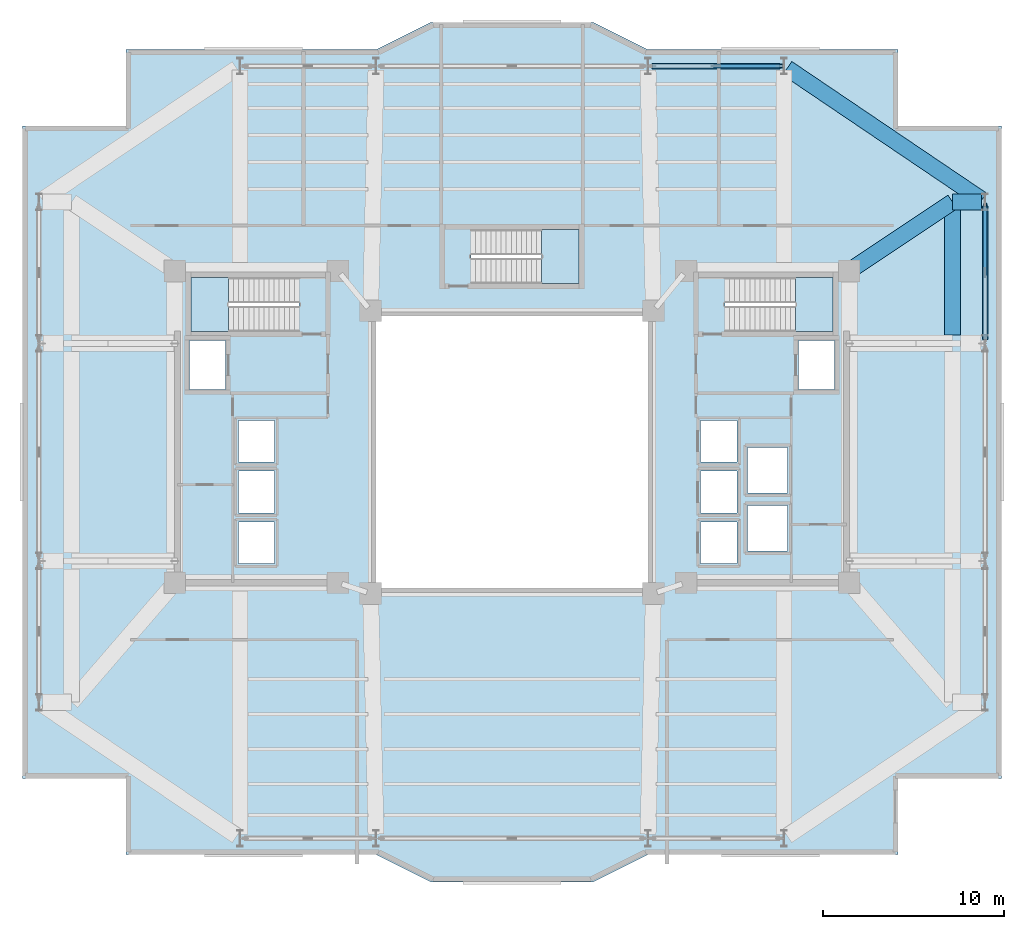
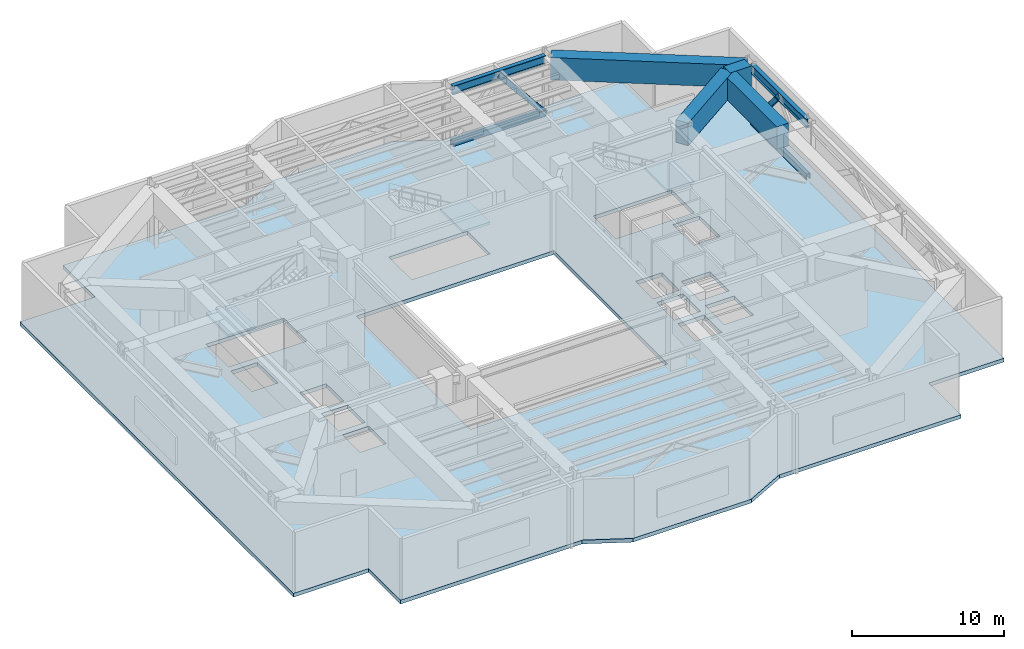
# One storey, part 3 of 13: 6 beams, 4 members, 4 slabs, 3 elements without a shape of their own.
"""IFC4 building model written with IfcOpenShell, lengths in metres."""

from ifc_helpers import new_model, si_unit, direction, frame, origin, origin_2d, place, context, subcontext, project, spatial, polyline, rectangle, hollow_rectangle, i_section, outline, extrude, material, layer, layer_set, material_profile, profile_set, type_object, element, aggregate, save


model = new_model("IFC4")

# Units and contexts
model_context = context("Model", 3, precision=1e-05, world=origin(), true_north=direction((0.0, 1.0)))
body_context = subcontext(model_context, "Body", "Model", "MODEL_VIEW")
ifc_project = project(units=[si_unit("LENGTHUNIT", "METRE"), si_unit("AREAUNIT", "SQUARE_METRE"), si_unit("VOLUMEUNIT", "CUBIC_METRE"), si_unit("PLANEANGLEUNIT", "RADIAN"), si_unit("MASSUNIT", "GRAM", prefix="KILO")], contexts=[model_context])

# Site, building, storey
site_placement = place(None, origin())
site = spatial("IfcSite", under=ifc_project, at=site_placement, CompositionType="ELEMENT")
building_placement = place(site_placement, origin())
building = spatial("IfcBuilding", under=site, at=building_placement, Name="Tarnavaz Court Tower", CompositionType="ELEMENT")
storey_placement = place(building_placement, frame((0.0, 0.0, 127.5)))
storey = spatial("IfcBuildingStorey", under=building, at=storey_placement, Name="L34", CompositionType="ELEMENT", Elevation=127.5)

# Beams
ifc_material_1 = material(Name="Steel S460", Category="steel")
ifc_material_profile_1 = material_profile(ifc_material_1, i_section(OverallWidth=0.303955078125, OverallDepth=0.716064453125, WebThickness=0.02099609375, FlangeThickness=0.0400390625, FilletRadius=0.027099609375, at=origin_2d()), Name="HEM 700")
ifc_profile_set_1 = profile_set([ifc_material_profile_1], Name="Steel S460")
beam_type_1 = type_object("IfcBeamType", Name="BM-BT-HEM700", PredefinedType="USERDEFINED", material=ifc_profile_set_1)
beam_1_placement = place(storey_placement, frame((7.719970703125, 21.300048828125, 4.491943359375), z_axis=(1.0, 0.0, 0.0), x_axis=(0.0, 1.0, 0.0)))
element("IfcBeam", 1, at=beam_1_placement, inside=storey, type_object=beam_type_1, Name="L34 Beam PR-PN-3-PN-4", ObjectType="GIRDER", PredefinedType="USERDEFINED", context=body_context, shape_type="SweptSolid", body=[
    extrude(i_section(OverallWidth=0.303955078125, OverallDepth=0.716064453125, WebThickness=0.02099609375, FlangeThickness=0.0400390625, FilletRadius=0.027099609375, at=origin_2d()), origin(), (0.0, 0.0, 1.0), 7.06005859375),
])
beam_2_placement = place(storey_placement, frame((26.10009765625, 6.219970703125, 4.491943359375), z_axis=(0.0, 1.0, 0.0), x_axis=(-1.0, 0.0, 0.0)))
element("IfcBeam", 2, at=beam_2_placement, inside=storey, type_object=beam_type_1, Name="L34 Beam PR-PE-3-PE-4", ObjectType="GIRDER", PredefinedType="USERDEFINED", context=body_context, shape_type="SweptSolid", body=[
    extrude(i_section(OverallWidth=0.303955078125, OverallDepth=0.716064453125, WebThickness=0.02099609375, FlangeThickness=0.0400390625, FilletRadius=0.027099609375, at=origin_2d()), origin(), (0.0, 0.0, 1.0), 7.360107421875),
])
ifc_material_2 = material(Name="Concrete C50/60", Category="concrete")
ifc_material_profile_2 = material_profile(ifc_material_2, rectangle(XDim=0.89990234375, YDim=1.800048828125, at=origin_2d()), Name="RC 900X1800")
ifc_profile_set_2 = profile_set([ifc_material_profile_2], Name="Concrete C50/60")
beam_type_2 = type_object("IfcBeamType", Name="BM-TG1800", PredefinedType="USERDEFINED", material=ifc_profile_set_2)
beam_3_placement = place(storey_placement, frame((15.182373046875, 21.1767578125, 3.949951171875), z_axis=(0.828587314918, -0.559859858854, 0.0), x_axis=(0.559859858854, 0.828587314918, 0.0)))
element("IfcBeam", 3, at=beam_3_placement, inside=storey, type_object=beam_type_2, Name="L34 Beam PR-PN-4-PE-4", ObjectType="GIRDER", PredefinedType="USERDEFINED", context=body_context, shape_type="SweptSolid", body=[
    extrude(rectangle(XDim=0.89990234375, YDim=1.800048828125, at=origin_2d()), origin(), (0.0, 0.0, 1.0), 12.956298828125),
])
beam_4_placement = place(storey_placement, frame((18.766357421875, 10.11083984375, 3.949951171875), z_axis=(0.832044646767, 0.554708667488, 0.0), x_axis=(-0.554708667488, 0.832044646767, 0.0)))
element("IfcBeam", 4, at=beam_4_placement, inside=storey, type_object=beam_type_2, Name="L34 Beam TG-SET-EN", ObjectType="GIRDER", PredefinedType="USERDEFINED", context=body_context, shape_type="SweptSolid", body=[
    extrude(rectangle(XDim=0.89990234375, YDim=1.800048828125, at=origin_2d()), origin(), (0.0, 0.0, 1.0), 6.650634765625),
])
beam_5_placement = place(storey_placement, frame((24.300048828125, 13.800048828125, 3.949951171875), z_axis=(1.0, 0.0, 0.0), x_axis=(0.0, 1.0, 0.0)))
element("IfcBeam", 5, at=beam_5_placement, inside=storey, type_object=beam_type_2, Name="L34 Beam TG-OUT-EN", ObjectType="GIRDER", PredefinedType="USERDEFINED", context=body_context, shape_type="SweptSolid", body=[
    extrude(rectangle(XDim=0.89990234375, YDim=1.800048828125, at=origin_2d()), origin(), (0.0, 0.0, 1.0), 1.599853515625),
])
beam_6_placement = place(storey_placement, frame((24.300048828125, 6.449951171875, 3.949951171875), z_axis=(0.0, 1.0, 0.0), x_axis=(-1.0, 0.0, 0.0)))
element("IfcBeam", 6, at=beam_6_placement, inside=storey, type_object=beam_type_2, Name="L34 Beam TG-TIE-E3", ObjectType="GIRDER", PredefinedType="USERDEFINED", context=body_context, shape_type="SweptSolid", body=[
    extrude(rectangle(XDim=0.89990234375, YDim=1.800048828125, at=origin_2d()), origin(), (0.0, 0.0, 1.0), 7.330078125),
])

# Members
ifc_material_profile_3 = material_profile(ifc_material_1, hollow_rectangle(XDim=0.199951171875, YDim=0.39990234375, WallThickness=0.01611328125, InnerFilletRadius=0.01611328125, OuterFilletRadius=0.031982421875, at=origin_2d()), Name="RHS 400X200X16")
ifc_profile_set_3 = profile_set([ifc_material_profile_3], Name="Steel S460")
member_type_1 = type_object("IfcMemberType", Name="MB-BT-RHS400", PredefinedType="BRACE", material=ifc_profile_set_3)
member_1_placement = place(storey_placement, frame((14.780029296875, 21.300048828125, 0.199951171875), z_axis=(-0.634508247424, 0.0, 0.772916091145), x_axis=(0.0, -1.0, 0.0)))
element("IfcMember", 7, at=member_1_placement, inside=storey, type_object=member_type_1, Name="L34 Belt Truss Diagonal 03B", PredefinedType="BRACE", context=body_context, shape_type="SweptSolid", body=[
    extrude(hollow_rectangle(XDim=0.199951171875, YDim=0.39990234375, WallThickness=0.01611328125, InnerFilletRadius=0.01611328125, OuterFilletRadius=0.031982421875, at=origin_2d()), origin(), (0.0, 0.0, 1.0), 5.5634765625),
])
member_2_placement = place(storey_placement, frame((26.10009765625, 13.580078125, 0.199951171875), z_axis=(0.0, -0.650222818954, 0.759743565758), x_axis=(1.0, 0.0, 0.0)))
element("IfcMember", 8, at=member_2_placement, inside=storey, type_object=member_type_1, Name="L34 Belt Truss Diagonal 09B", PredefinedType="BRACE", context=body_context, shape_type="SweptSolid", body=[
    extrude(hollow_rectangle(XDim=0.199951171875, YDim=0.39990234375, WallThickness=0.01611328125, InnerFilletRadius=0.01611328125, OuterFilletRadius=0.031982421875, at=origin_2d()), origin(), (0.0, 0.0, 1.0), 5.659912109375),
])
ifc_material_profile_4 = material_profile(ifc_material_1, hollow_rectangle(XDim=0.300048828125, YDim=0.5, WallThickness=0.02001953125, InnerFilletRadius=0.02001953125, OuterFilletRadius=0.0400390625, at=origin_2d()), Name="RHS 500X300X20")
ifc_profile_set_4 = profile_set([ifc_material_profile_4], Name="Steel S460")
member_type_2 = type_object("IfcMemberType", Name="MB-BT-RHS500", PredefinedType="CHORD", material=ifc_profile_set_4)
member_3_placement = place(storey_placement, frame((7.719970703125, 21.300048828125, 0.199951171875), z_axis=(1.0, 0.0, 0.0), x_axis=(0.0, 1.0, 0.0)))
element("IfcMember", 9, at=member_3_placement, inside=storey, type_object=member_type_2, Name="L34 Belt Truss Bottom Chord PN-3-PN-4", PredefinedType="CHORD", context=body_context, shape_type="SweptSolid", body=[
    extrude(hollow_rectangle(XDim=0.300048828125, YDim=0.5, WallThickness=0.02001953125, InnerFilletRadius=0.02001953125, OuterFilletRadius=0.0400390625, at=origin_2d()), origin(), (0.0, 0.0, 1.0), 7.06005859375),
])
member_4_placement = place(storey_placement, frame((26.10009765625, 6.219970703125, 0.199951171875), z_axis=(0.0, 1.0, 0.0), x_axis=(-1.0, 0.0, 0.0)))
element("IfcMember", 10, at=member_4_placement, inside=storey, type_object=member_type_2, Name="L34 Belt Truss Bottom Chord PE-3-PE-4", PredefinedType="CHORD", context=body_context, shape_type="SweptSolid", body=[
    extrude(hollow_rectangle(XDim=0.300048828125, YDim=0.5, WallThickness=0.02001953125, InnerFilletRadius=0.02001953125, OuterFilletRadius=0.0400390625, at=origin_2d()), origin(), (0.0, 0.0, 1.0), 7.360107421875),
])

# Stair, slab
ifc_material_3 = material(Name="Concrete C40/50", Category="concrete")
stair_type = type_object("IfcStairType", Name="ST-TWR-30R", PredefinedType="HALF_TURN_STAIR", material=ifc_material_3)
stair_1_placement = place(storey_placement, origin())
stair_1 = element("IfcStair", 11, at=stair_1_placement, inside=storey, type_object=stair_type, Name="L34 West Core Pressurized Exit Stair ST-W1", PredefinedType="HALF_TURN_STAIR")
ifc_layer_1 = layer(ifc_material_3, 0.199951171875)
ifc_layer_set_1 = layer_set([ifc_layer_1], Name="Concrete C40/50")
slab_type_1 = type_object("IfcSlabType", Name="SL-LAND-200", PredefinedType="LANDING", material=ifc_layer_set_1)
slab_1_placement = place(storey_placement, frame((0.0, 0.0, 2.35009765625)))
slab_1 = element("IfcSlab", 12, at=slab_1_placement, type_object=slab_type_1, Name="ST-W1 landing 1", PredefinedType="LANDING", context=body_context, shape_type="SweptSolid", body=[
    extrude(outline(polyline([(-15.639892578125, 9.639892578125), (-17.699951171875, 9.639892578125), (-17.699951171875, 6.64990234375), (-15.639892578125, 6.64990234375), (-15.639892578125, 9.639892578125)])), origin(), (0.0, 0.0, 1.0), 0.199951171875),
])
aggregate(stair_1, [slab_1])

stair_2_placement = place(storey_placement, origin())
stair_2 = element("IfcStair", 13, at=stair_2_placement, inside=storey, type_object=stair_type, Name="L34 East Core Pressurized Exit Stair ST-E1", PredefinedType="HALF_TURN_STAIR")
slab_2_placement = place(storey_placement, frame((0.0, 0.0, 2.35009765625)))
slab_2 = element("IfcSlab", 14, at=slab_2_placement, type_object=slab_type_1, Name="ST-E1 landing 1", PredefinedType="LANDING", context=body_context, shape_type="SweptSolid", body=[
    extrude(outline(polyline([(15.639892578125, 6.64990234375), (17.699951171875, 6.64990234375), (17.699951171875, 9.639892578125), (15.639892578125, 9.639892578125), (15.639892578125, 6.64990234375)])), origin(), (0.0, 0.0, 1.0), 0.199951171875),
])
aggregate(stair_2, [slab_2])

stair_3_placement = place(storey_placement, origin())
stair_3 = element("IfcStair", 15, at=stair_3_placement, inside=storey, type_object=stair_type, Name="L34 North Ring Pressurized Exit Stair ST-N1", PredefinedType="HALF_TURN_STAIR")
slab_3_placement = place(storey_placement, frame((0.0, 0.0, 2.35009765625)))
slab_3 = element("IfcSlab", 16, at=slab_3_placement, type_object=slab_type_1, Name="ST-N1 landing 1", PredefinedType="LANDING", context=body_context, shape_type="SweptSolid", body=[
    extrude(outline(polyline([(1.639892578125, 9.300048828125), (3.699951171875, 9.300048828125), (3.699951171875, 12.2900390625), (1.639892578125, 12.2900390625), (1.639892578125, 9.300048828125)])), origin(), (0.0, 0.0, 1.0), 0.199951171875),
])
aggregate(stair_3, [slab_3])

# Slab
ifc_layer_2 = layer(ifc_material_3, 0.300048828125)
ifc_layer_set_2 = layer_set([ifc_layer_2], Name="Concrete C40/50")
slab_type_2 = type_object("IfcSlabType", Name="SL-POD-300", PredefinedType="FLOOR", material=ifc_layer_set_2)
slab_4_placement = place(storey_placement, frame((0.0, 0.0, -0.300048828125)))
element("IfcSlab", 17, at=slab_4_placement, inside=storey, type_object=slab_type_2, Name="L34 Structural Floor Slab", PredefinedType="FLOOR", context=body_context, shape_type="SweptSolid", body=[
    extrude(outline(polyline([(-21.300048828125, -22.199951171875), (-7.5, -22.199951171875), (-4.5, -23.699951171875), (4.5, -23.699951171875), (7.5, -22.199951171875), (21.300048828125, -22.199951171875), (21.300048828125, -18.0), (27.0, -18.0), (27.0, 18.0), (21.300048828125, 18.0), (21.300048828125, 22.199951171875), (7.5, 22.199951171875), (4.5, 23.699951171875), (-4.5, 23.699951171875), (-7.5, 22.199951171875), (-21.300048828125, 22.199951171875), (-21.300048828125, 18.0), (-27.0, 18.0), (-27.0, -18.0), (-21.300048828125, -18.0), (-21.300048828125, -22.199951171875)]), holes=[polyline([(-7.5, -7.5), (7.5, -7.5), (7.5, 7.5), (-7.5, 7.5), (-7.5, -7.5)]), polyline([(-11.7451171875, 9.639892578125), (-17.699951171875, 9.639892578125), (-17.699951171875, 6.64990234375), (-11.7451171875, 6.64990234375), (-11.7451171875, 9.639892578125)]), polyline([(11.7451171875, 6.64990234375), (17.699951171875, 6.64990234375), (17.699951171875, 9.639892578125), (11.7451171875, 9.639892578125), (11.7451171875, 6.64990234375)]), polyline([(-2.2548828125, 9.300048828125), (3.699951171875, 9.300048828125), (3.699951171875, 12.2900390625), (-2.2548828125, 12.2900390625), (-2.2548828125, 9.300048828125)]), polyline([(-17.800048828125, 3.449951171875), (-15.800048828125, 3.449951171875), (-15.800048828125, 6.14990234375), (-17.800048828125, 6.14990234375), (-17.800048828125, 3.449951171875)]), polyline([(-15.10009765625, -6.14990234375), (-13.10009765625, -6.14990234375), (-13.10009765625, -3.85009765625), (-15.10009765625, -3.85009765625), (-15.10009765625, -6.14990234375)]), polyline([(-15.10009765625, -3.35009765625), (-13.10009765625, -3.35009765625), (-13.10009765625, -1.050048828125), (-15.10009765625, -1.050048828125), (-15.10009765625, -3.35009765625)]), polyline([(-15.10009765625, -0.550048828125), (-13.10009765625, -0.550048828125), (-13.10009765625, 1.75), (-15.10009765625, 1.75), (-15.10009765625, -0.550048828125)]), polyline([(15.800048828125, 3.449951171875), (17.800048828125, 3.449951171875), (17.800048828125, 6.14990234375), (15.800048828125, 6.14990234375), (15.800048828125, 3.449951171875)]), polyline([(10.39990234375, -6.14990234375), (12.39990234375, -6.14990234375), (12.39990234375, -3.85009765625), (10.39990234375, -3.85009765625), (10.39990234375, -6.14990234375)]), polyline([(10.39990234375, -3.35009765625), (12.39990234375, -3.35009765625), (12.39990234375, -1.050048828125), (10.39990234375, -1.050048828125), (10.39990234375, -3.35009765625)]), polyline([(10.39990234375, -0.550048828125), (12.39990234375, -0.550048828125), (12.39990234375, 1.75), (10.39990234375, 1.75), (10.39990234375, -0.550048828125)]), polyline([(13.0, -5.449951171875), (15.199951171875, -5.449951171875), (15.199951171875, -2.949951171875), (13.0, -2.949951171875), (13.0, -5.449951171875)]), polyline([(13.0, -2.25), (15.199951171875, -2.25), (15.199951171875, 0.25), (13.0, 0.25), (13.0, -2.25)])]), origin(), (0.0, 0.0, 1.0), 0.300048828125),
])

save(model, "model.ifc")
